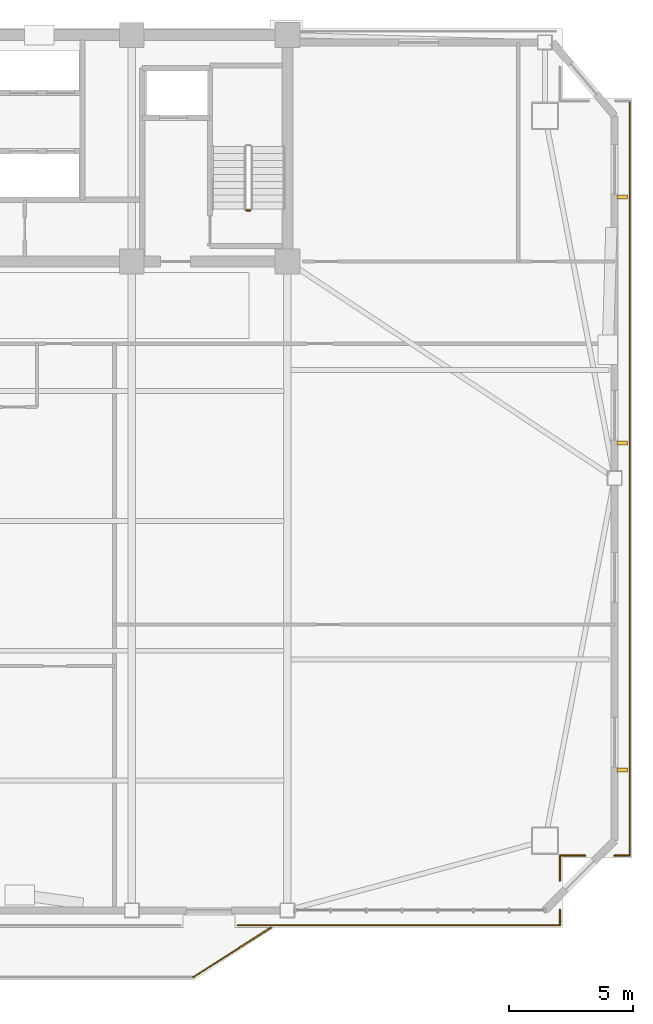
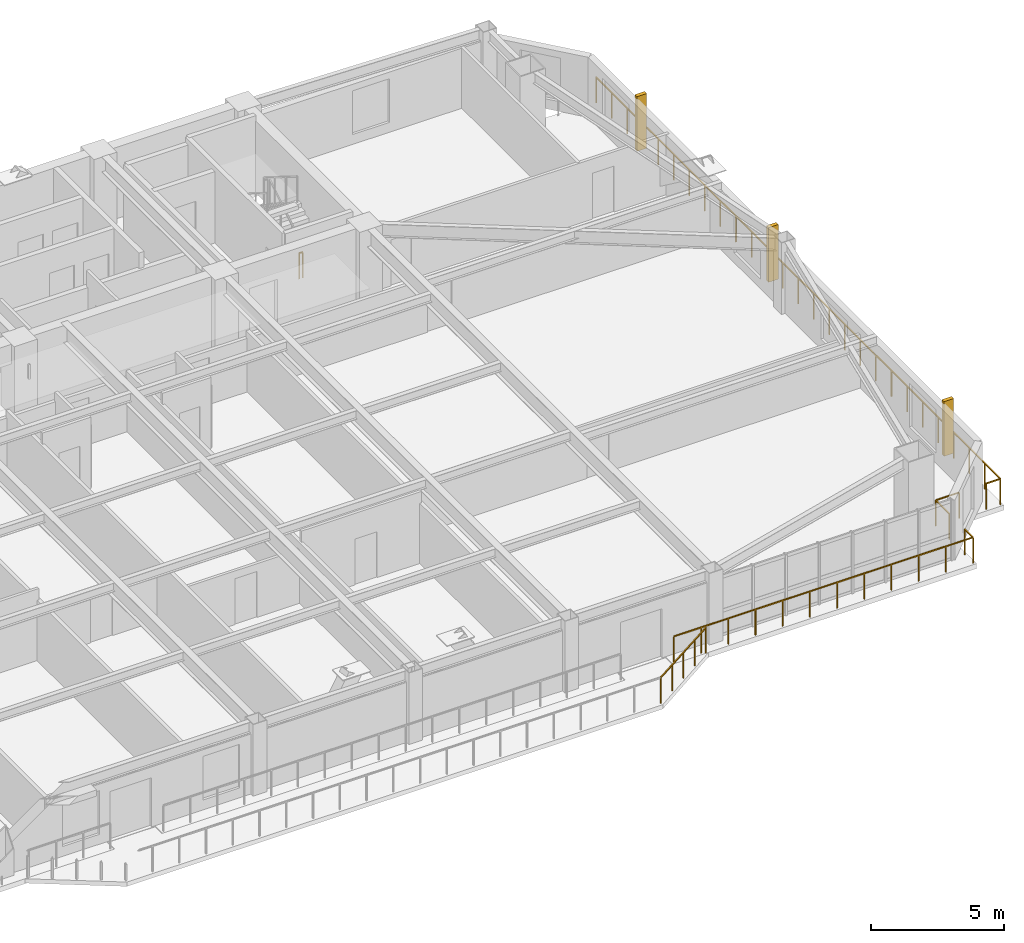
# One storey, part 15 of 17: 8 railings, 3 shading devices.
"""IFC4 building model written with IfcOpenShell, lengths in metres."""

from ifc_helpers import new_model, si_unit, direction, frame, origin, origin_2d, place, context, subcontext, project, spatial, rectangle, extrude, source, transform, mapped, material, type_object, element, save


model = new_model("IFC4")

# Units and contexts
model_context = context("Model", 3, precision=1e-05, world=origin(), true_north=direction((0.0, 1.0)))
body_context = subcontext(model_context, "Body", "Model", "MODEL_VIEW")
ifc_project = project(units=[si_unit("LENGTHUNIT", "METRE"), si_unit("AREAUNIT", "SQUARE_METRE"), si_unit("VOLUMEUNIT", "CUBIC_METRE"), si_unit("PLANEANGLEUNIT", "RADIAN"), si_unit("MASSUNIT", "GRAM", prefix="KILO")], contexts=[model_context])

# Site, building, storey
site_placement = place(None, origin())
site = spatial("IfcSite", under=ifc_project, at=site_placement, CompositionType="ELEMENT")
building_placement = place(site_placement, origin())
building = spatial("IfcBuilding", under=site, at=building_placement, Name="Giltprow Tower", CompositionType="ELEMENT")
storey_placement = place(building_placement, frame((0.0, 0.0, 206.199951171875)))
storey = spatial("IfcBuildingStorey", under=building, at=storey_placement, Name="L52", CompositionType="ELEMENT", Elevation=206.199951171875)

# Railings
ifc_material = material(Name="Anodized bronze", Category="metal")
railing_type_1 = type_object("IfcRailingType", Name="RAIL-BALC-GUARD-1200", PredefinedType="BALUSTRADE", material=ifc_material)
railing_1_placement = place(storey_placement, frame((46.780029296875, 8.7060546875, 0.0)))
element("IfcRailing", 1, at=railing_1_placement, inside=storey, type_object=railing_type_1, Name="L52 Waterfront Balcony Balustrade Seg 3", PredefinedType="BALUSTRADE", context=body_context, shape_type="SweptSolid", body=[
    extrude(rectangle(XDim=0.048095703125, YDim=0.048095703125, at=origin_2d()), frame((0.0, 0.0, 1.17578125), z_axis=(0.842755646126, 0.538296313309, 0.0), x_axis=(-0.538296313309, 0.842755646126, 0.0)), (0.0, 0.0, 1.0), 3.67822265625),
    extrude(rectangle(XDim=0.0419921875, YDim=0.0419921875, at=origin_2d()), origin(), (0.0, 0.0, 1.0), 1.15185546875),
    extrude(rectangle(XDim=0.0419921875, YDim=0.0419921875, at=origin_2d()), frame((0.77490234375, 0.4951171875, 0.0)), (0.0, 0.0, 1.0), 1.15185546875),
    extrude(rectangle(XDim=0.0419921875, YDim=0.0419921875, at=origin_2d()), frame((1.5498046875, 0.989990234375, 0.0)), (0.0, 0.0, 1.0), 1.15185546875),
    extrude(rectangle(XDim=0.0419921875, YDim=0.0419921875, at=origin_2d()), frame((2.324951171875, 1.48486328125, 0.0)), (0.0, 0.0, 1.0), 1.15185546875),
    extrude(rectangle(XDim=0.0419921875, YDim=0.0419921875, at=origin_2d()), frame((3.099853515625, 1.97998046875, 0.0)), (0.0, 0.0, 1.0), 1.15185546875),
])
railing_2_placement = place(storey_placement, frame((64.298095703125, 43.89990234375, 0.0)))
element("IfcRailing", 2, at=railing_2_placement, inside=storey, type_object=railing_type_1, Name="L52 Corner Apron Edge Balustrade 1", PredefinedType="BALUSTRADE", context=body_context, shape_type="SweptSolid", body=[
    extrude(rectangle(XDim=0.048095703125, YDim=0.048095703125, at=origin_2d()), frame((0.0, 0.0, 1.17578125), z_axis=(0.0, -1.0, 0.0), x_axis=(1.0, 0.0, 0.0)), (0.0, 0.0, 1.0), 30.31396484375),
    extrude(rectangle(XDim=0.0419921875, YDim=0.0419921875, at=origin_2d()), origin(), (0.0, 0.0, 1.0), 1.15185546875),
    extrude(rectangle(XDim=0.0419921875, YDim=0.0419921875, at=origin_2d()), frame((0.0, -1.166015625, 0.0)), (0.0, 0.0, 1.0), 1.15185546875),
    extrude(rectangle(XDim=0.0419921875, YDim=0.0419921875, at=origin_2d()), frame((0.0, -2.331787109375, 0.0)), (0.0, 0.0, 1.0), 1.15185546875),
    extrude(rectangle(XDim=0.0419921875, YDim=0.0419921875, at=origin_2d()), frame((0.0, -3.497802734375, 0.0)), (0.0, 0.0, 1.0), 1.15185546875),
    extrude(rectangle(XDim=0.0419921875, YDim=0.0419921875, at=origin_2d()), frame((0.0, -4.66357421875, 0.0)), (0.0, 0.0, 1.0), 1.15185546875),
    extrude(rectangle(XDim=0.0419921875, YDim=0.0419921875, at=origin_2d()), frame((0.0, -5.82958984375, 0.0)), (0.0, 0.0, 1.0), 1.15185546875),
    extrude(rectangle(XDim=0.0419921875, YDim=0.0419921875, at=origin_2d()), frame((0.0, -6.99560546875, 0.0)), (0.0, 0.0, 1.0), 1.15185546875),
    extrude(rectangle(XDim=0.0419921875, YDim=0.0419921875, at=origin_2d()), frame((0.0, -8.161376953125, 0.0)), (0.0, 0.0, 1.0), 1.15185546875),
    extrude(rectangle(XDim=0.0419921875, YDim=0.0419921875, at=origin_2d()), frame((0.0, -9.327392578125, 0.0)), (0.0, 0.0, 1.0), 1.15185546875),
    extrude(rectangle(XDim=0.0419921875, YDim=0.0419921875, at=origin_2d()), frame((0.0, -10.493408203125, 0.0)), (0.0, 0.0, 1.0), 1.15185546875),
    extrude(rectangle(XDim=0.0419921875, YDim=0.0419921875, at=origin_2d()), frame((0.0, -11.6591796875, 0.0)), (0.0, 0.0, 1.0), 1.15185546875),
    extrude(rectangle(XDim=0.0419921875, YDim=0.0419921875, at=origin_2d()), frame((0.0, -12.8251953125, 0.0)), (0.0, 0.0, 1.0), 1.15185546875),
    extrude(rectangle(XDim=0.0419921875, YDim=0.0419921875, at=origin_2d()), frame((0.0, -13.990966796875, 0.0)), (0.0, 0.0, 1.0), 1.15185546875),
    extrude(rectangle(XDim=0.0419921875, YDim=0.0419921875, at=origin_2d()), frame((0.0, -15.156982421875, 0.0)), (0.0, 0.0, 1.0), 1.15185546875),
    extrude(rectangle(XDim=0.0419921875, YDim=0.0419921875, at=origin_2d()), frame((0.0, -16.322998046875, 0.0)), (0.0, 0.0, 1.0), 1.15185546875),
    extrude(rectangle(XDim=0.0419921875, YDim=0.0419921875, at=origin_2d()), frame((0.0, -17.48876953125, 0.0)), (0.0, 0.0, 1.0), 1.15185546875),
    extrude(rectangle(XDim=0.0419921875, YDim=0.0419921875, at=origin_2d()), frame((0.0, -18.65478515625, 0.0)), (0.0, 0.0, 1.0), 1.15185546875),
    extrude(rectangle(XDim=0.0419921875, YDim=0.0419921875, at=origin_2d()), frame((0.0, -19.820556640625, 0.0)), (0.0, 0.0, 1.0), 1.15185546875),
    extrude(rectangle(XDim=0.0419921875, YDim=0.0419921875, at=origin_2d()), frame((0.0, -20.986572265625, 0.0)), (0.0, 0.0, 1.0), 1.15185546875),
    extrude(rectangle(XDim=0.0419921875, YDim=0.0419921875, at=origin_2d()), frame((0.0, -22.152587890625, 0.0)), (0.0, 0.0, 1.0), 1.15185546875),
    extrude(rectangle(XDim=0.0419921875, YDim=0.0419921875, at=origin_2d()), frame((0.0, -23.318359375, 0.0)), (0.0, 0.0, 1.0), 1.15185546875),
    extrude(rectangle(XDim=0.0419921875, YDim=0.0419921875, at=origin_2d()), frame((0.0, -24.484375, 0.0)), (0.0, 0.0, 1.0), 1.15185546875),
    extrude(rectangle(XDim=0.0419921875, YDim=0.0419921875, at=origin_2d()), frame((0.0, -25.650390625, 0.0)), (0.0, 0.0, 1.0), 1.15185546875),
    extrude(rectangle(XDim=0.0419921875, YDim=0.0419921875, at=origin_2d()), frame((0.0, -26.816162109375, 0.0)), (0.0, 0.0, 1.0), 1.15185546875),
    extrude(rectangle(XDim=0.0419921875, YDim=0.0419921875, at=origin_2d()), frame((0.0, -27.982177734375, 0.0)), (0.0, 0.0, 1.0), 1.15185546875),
    extrude(rectangle(XDim=0.0419921875, YDim=0.0419921875, at=origin_2d()), frame((0.0, -29.14794921875, 0.0)), (0.0, 0.0, 1.0), 1.15185546875),
    extrude(rectangle(XDim=0.0419921875, YDim=0.0419921875, at=origin_2d()), frame((0.0, -30.31396484375, 0.0)), (0.0, 0.0, 1.0), 1.15185546875),
])
railing_3_placement = place(storey_placement, frame((64.298095703125, 13.5859375, 0.0)))
element("IfcRailing", 3, at=railing_3_placement, inside=storey, type_object=railing_type_1, Name="L52 Corner Apron Edge Balustrade 2", PredefinedType="BALUSTRADE", context=body_context, shape_type="SweptSolid", body=[
    extrude(rectangle(XDim=0.048095703125, YDim=0.048095703125, at=origin_2d()), frame((0.0, 0.0, 1.17578125), z_axis=(-1.0, 0.0, 0.0), x_axis=(0.0, -1.0, 0.0)), (0.0, 0.0, 1.0), 0.6201171875),
    extrude(rectangle(XDim=0.0419921875, YDim=0.0419921875, at=origin_2d()), origin(), (0.0, 0.0, 1.0), 1.15185546875),
    extrude(rectangle(XDim=0.0419921875, YDim=0.0419921875, at=origin_2d()), frame((-0.6201171875, 0.0, 0.0)), (0.0, 0.0, 1.0), 1.15185546875),
])
railing_4_placement = place(storey_placement, frame((62.51806640625, 13.5859375, 0.0)))
element("IfcRailing", 4, at=railing_4_placement, inside=storey, type_object=railing_type_1, Name="L52 Corner Apron Edge Balustrade 3", PredefinedType="BALUSTRADE", context=body_context, shape_type="SweptSolid", body=[
    extrude(rectangle(XDim=0.048095703125, YDim=0.048095703125, at=origin_2d()), frame((0.0, 0.0, 1.17578125), z_axis=(-1.0, 0.0, 0.0), x_axis=(0.0, -1.0, 0.0)), (0.0, 0.0, 1.0), 1.02001953125),
    extrude(rectangle(XDim=0.0419921875, YDim=0.0419921875, at=origin_2d()), origin(), (0.0, 0.0, 1.0), 1.15185546875),
    extrude(rectangle(XDim=0.0419921875, YDim=0.0419921875, at=origin_2d()), frame((-1.02001953125, 0.0, 0.0)), (0.0, 0.0, 1.0), 1.15185546875),
])
railing_5_placement = place(storey_placement, frame((61.498046875, 13.5859375, 0.0)))
element("IfcRailing", 5, at=railing_5_placement, inside=storey, type_object=railing_type_1, Name="L52 Corner Apron Edge Balustrade 4", PredefinedType="BALUSTRADE", context=body_context, shape_type="SweptSolid", body=[
    extrude(rectangle(XDim=0.048095703125, YDim=0.048095703125, at=origin_2d()), frame((0.0, 0.0, 1.17578125), z_axis=(0.0, -1.0, 0.0), x_axis=(1.0, 0.0, 0.0)), (0.0, 0.0, 1.0), 1.02001953125),
    extrude(rectangle(XDim=0.0419921875, YDim=0.0419921875, at=origin_2d()), origin(), (0.0, 0.0, 1.0), 1.15185546875),
    extrude(rectangle(XDim=0.0419921875, YDim=0.0419921875, at=origin_2d()), frame((0.0, -1.02001953125, 0.0)), (0.0, 0.0, 1.0), 1.15185546875),
])
railing_6_placement = place(storey_placement, frame((61.498046875, 11.406005859375, 0.0)))
element("IfcRailing", 6, at=railing_6_placement, inside=storey, type_object=railing_type_1, Name="L52 Corner Apron Edge Balustrade 5", PredefinedType="BALUSTRADE", context=body_context, shape_type="SweptSolid", body=[
    extrude(rectangle(XDim=0.048095703125, YDim=0.048095703125, at=origin_2d()), frame((0.0, 0.0, 1.17578125), z_axis=(0.0, -1.0, 0.0), x_axis=(1.0, 0.0, 0.0)), (0.0, 0.0, 1.0), 0.6201171875),
    extrude(rectangle(XDim=0.0419921875, YDim=0.0419921875, at=origin_2d()), origin(), (0.0, 0.0, 1.0), 1.15185546875),
    extrude(rectangle(XDim=0.0419921875, YDim=0.0419921875, at=origin_2d()), frame((0.0, -0.6201171875, 0.0)), (0.0, 0.0, 1.0), 1.15185546875),
])
railing_7_placement = place(storey_placement, frame((61.498046875, 10.785888671875, 0.0)))
element("IfcRailing", 7, at=railing_7_placement, inside=storey, type_object=railing_type_1, Name="L52 Corner Apron Edge Balustrade 6", PredefinedType="BALUSTRADE", context=body_context, shape_type="SweptSolid", body=[
    extrude(rectangle(XDim=0.048095703125, YDim=0.048095703125, at=origin_2d()), frame((0.0, 0.0, 1.17578125), z_axis=(-1.0, 0.0, 0.0), x_axis=(0.0, -1.0, 0.0)), (0.0, 0.0, 1.0), 12.947998046875),
    extrude(rectangle(XDim=0.0419921875, YDim=0.0419921875, at=origin_2d()), origin(), (0.0, 0.0, 1.0), 1.15185546875),
    extrude(rectangle(XDim=0.0419921875, YDim=0.0419921875, at=origin_2d()), frame((-1.177001953125, 0.0, 0.0)), (0.0, 0.0, 1.0), 1.15185546875),
    extrude(rectangle(XDim=0.0419921875, YDim=0.0419921875, at=origin_2d()), frame((-2.354248046875, 0.0, 0.0)), (0.0, 0.0, 1.0), 1.15185546875),
    extrude(rectangle(XDim=0.0419921875, YDim=0.0419921875, at=origin_2d()), frame((-3.53125, 0.0, 0.0)), (0.0, 0.0, 1.0), 1.15185546875),
    extrude(rectangle(XDim=0.0419921875, YDim=0.0419921875, at=origin_2d()), frame((-4.708251953125, 0.0, 0.0)), (0.0, 0.0, 1.0), 1.15185546875),
    extrude(rectangle(XDim=0.0419921875, YDim=0.0419921875, at=origin_2d()), frame((-5.885498046875, 0.0, 0.0)), (0.0, 0.0, 1.0), 1.15185546875),
    extrude(rectangle(XDim=0.0419921875, YDim=0.0419921875, at=origin_2d()), frame((-7.0625, 0.0, 0.0)), (0.0, 0.0, 1.0), 1.15185546875),
    extrude(rectangle(XDim=0.0419921875, YDim=0.0419921875, at=origin_2d()), frame((-8.23974609375, 0.0, 0.0)), (0.0, 0.0, 1.0), 1.15185546875),
    extrude(rectangle(XDim=0.0419921875, YDim=0.0419921875, at=origin_2d()), frame((-9.416748046875, 0.0, 0.0)), (0.0, 0.0, 1.0), 1.15185546875),
    extrude(rectangle(XDim=0.0419921875, YDim=0.0419921875, at=origin_2d()), frame((-10.59375, 0.0, 0.0)), (0.0, 0.0, 1.0), 1.15185546875),
    extrude(rectangle(XDim=0.0419921875, YDim=0.0419921875, at=origin_2d()), frame((-11.77099609375, 0.0, 0.0)), (0.0, 0.0, 1.0), 1.15185546875),
    extrude(rectangle(XDim=0.0419921875, YDim=0.0419921875, at=origin_2d()), frame((-12.947998046875, 0.0, 0.0)), (0.0, 0.0, 1.0), 1.15185546875),
])
railing_type_2 = type_object("IfcRailingType", Name="RAIL-STAIR-GUARD-1200", PredefinedType="GUARDRAIL", material=ifc_material)
railing_8_placement = place(storey_placement, frame((49.06005859375, 39.5, 0.0)))
element("IfcRailing", 8, at=railing_8_placement, inside=storey, type_object=railing_type_2, Name="L52 ST-3 stair guard 4", PredefinedType="GUARDRAIL", context=body_context, shape_type="SweptSolid", body=[
    extrude(rectangle(XDim=0.048095703125, YDim=0.048095703125, at=origin_2d()), frame((0.0, 0.0, 1.17578125), z_axis=(-1.0, 0.0, 0.0), x_axis=(0.0, -1.0, 0.0)), (0.0, 0.0, 1.0), 0.16015625),
    extrude(rectangle(XDim=0.0419921875, YDim=0.0419921875, at=origin_2d()), origin(), (0.0, 0.0, 1.0), 1.15185546875),
    extrude(rectangle(XDim=0.0419921875, YDim=0.0419921875, at=origin_2d()), frame((-0.16015625, 0.0, 0.0)), (0.0, 0.0, 1.0), 1.15185546875),
])

# Shading devices
shading_device_type = type_object("IfcShadingDeviceType", Name="SHD-FIN-420", PredefinedType="USERDEFINED", material=ifc_material)
shared_shape = source(origin(), body_context, "Body", "SweptSolid", [
    extrude(rectangle(XDim=0.419921875, YDim=0.159912109375, at=origin_2d()), origin(), (0.0, 0.0, 1.0), 2.5),
])
for number, where, z_axis, x_axis, name in (
    (9, (63.998046875, 17.012939453125, 0.35009765625), (0.0, 0.0, 1.0), (1.0, 0.0, 0.0), "L52 E Bronze Vertical Fin 1-1"),
    (10, (63.998046875, 30.154052734375, 0.35009765625), (0.0, 0.0, 1.0), (1.0, 0.0, 0.0), "L52 E Bronze Vertical Fin 2-1"),
    (11, (63.998046875, 40.031982421875, 0.35009765625), (0.0, 0.0, 1.0), (1.0, 0.0, 0.0), "L52 E Bronze Vertical Fin 2-2"),
):
    element("IfcShadingDevice", number, at=place(storey_placement, frame(where, z_axis=z_axis, x_axis=x_axis)), inside=storey, type_object=shading_device_type, Name=name, ObjectType="FIN", PredefinedType="USERDEFINED", context=body_context, shape_type="MappedRepresentation", body=[
        mapped(shared_shape, transform((0.0, 0.0, 0.0), x_axis=(1.0, 0.0, 0.0), y_axis=(0.0, 1.0, 0.0), z_axis=(0.0, 0.0, 1.0), scale=1.0)),
    ])

save(model, "model.ifc")
